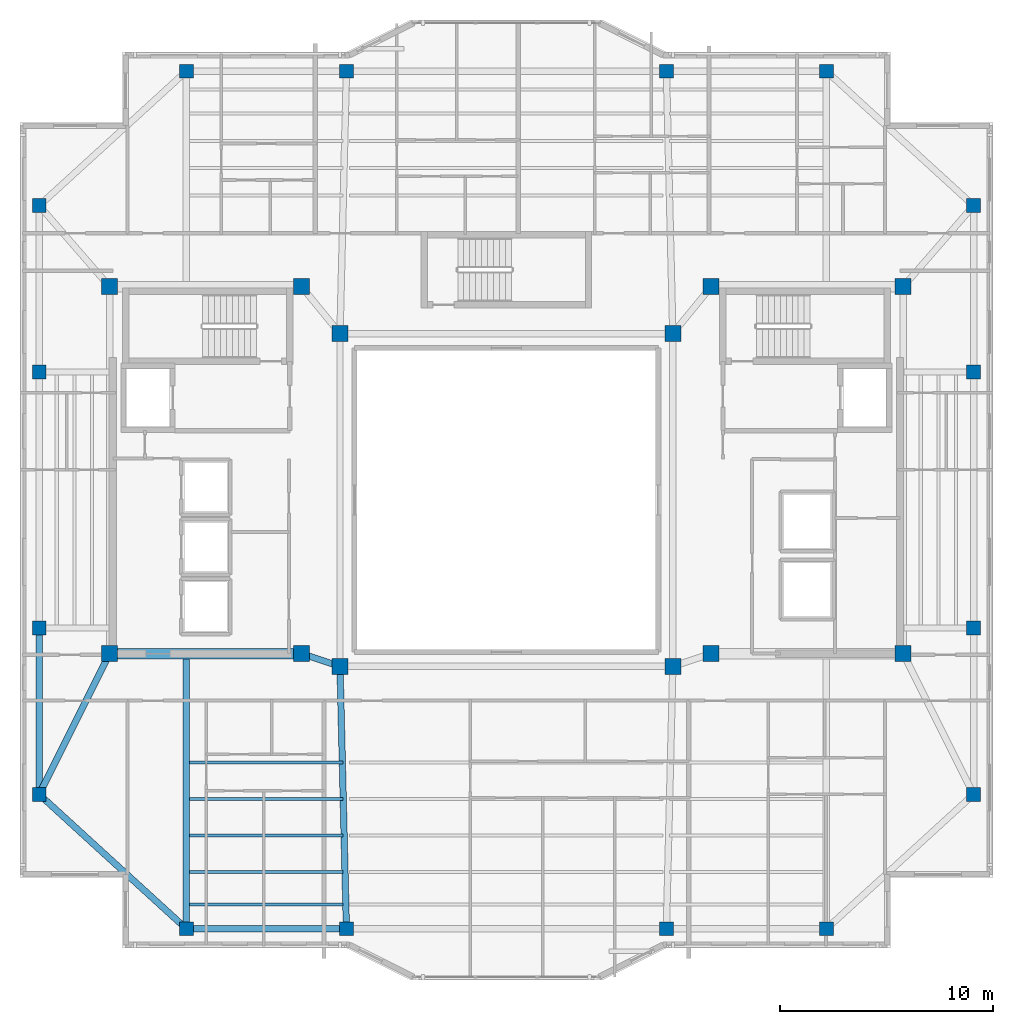
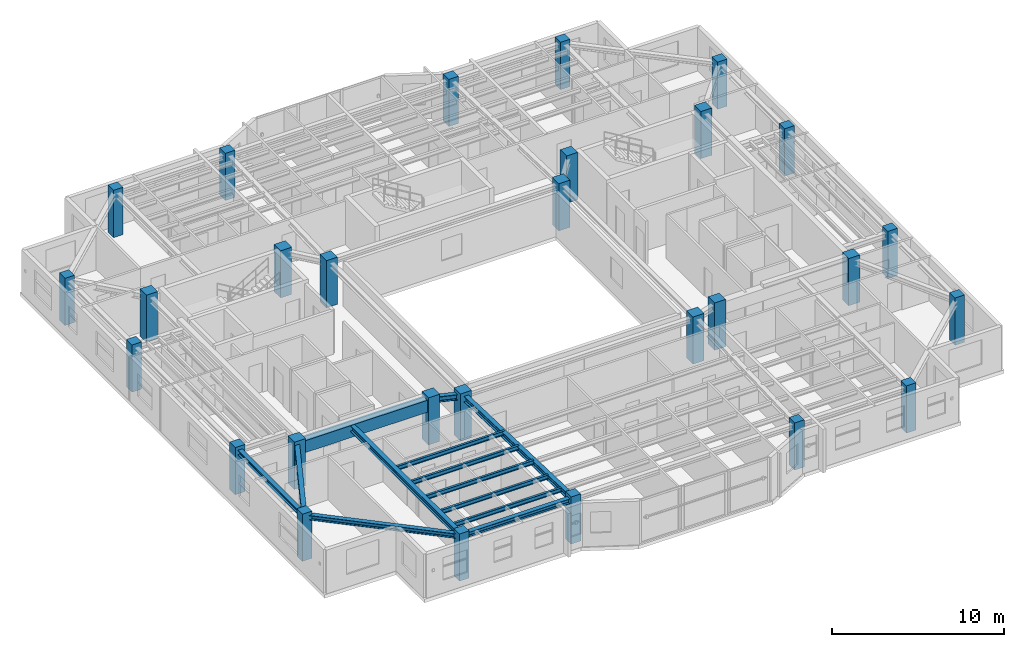
# One storey, part 1 of 15: 28 columns, 13 beams.
"""IFC4 building model written with IfcOpenShell, lengths in metres."""

from ifc_helpers import new_model, si_unit, direction, frame, origin, origin_2d, place, context, subcontext, project, spatial, rectangle, i_section, extrude, material, material_profile, profile_set, type_object, element, save


model = new_model("IFC4")

# Units and contexts
model_context = context("Model", 3, precision=1e-05, world=origin(), true_north=direction((0.0, 1.0)))
body_context = subcontext(model_context, "Body", "Model", "MODEL_VIEW")
ifc_project = project(units=[si_unit("LENGTHUNIT", "METRE"), si_unit("AREAUNIT", "SQUARE_METRE"), si_unit("VOLUMEUNIT", "CUBIC_METRE"), si_unit("PLANEANGLEUNIT", "RADIAN"), si_unit("MASSUNIT", "GRAM", prefix="KILO")], contexts=[model_context])

# Site, building, storey
site_placement = place(None, origin())
site = spatial("IfcSite", under=ifc_project, at=site_placement, CompositionType="ELEMENT")
building_placement = place(site_placement, origin())
building = spatial("IfcBuilding", under=site, at=building_placement, Name="Tarnavaz Court Tower", CompositionType="ELEMENT")
storey_placement = place(building_placement, frame((0.0, 0.0, 241.5)))
storey = spatial("IfcBuildingStorey", under=building, at=storey_placement, Name="L65", CompositionType="ELEMENT", Elevation=241.5)

# Columns
ifc_material_1 = material(Name="Concrete C50/60", Category="concrete")
ifc_material_profile_1 = material_profile(ifc_material_1, rectangle(XDim=0.64990234375, YDim=0.64990234375, at=origin_2d()), Name="RC 650X650")
ifc_profile_set_1 = profile_set([ifc_material_profile_1], Name="Concrete C50/60")
column_type_1 = type_object("IfcColumnType", Name="CL-RC650", PredefinedType="COLUMN", material=ifc_profile_set_1)
for number, where, z_axis, x_axis, name in (
    (1, (-15.0, 20.10009765625, 0.0), (0.0, 0.0, 1.0), (1.0, 0.0, 0.0), "L65 Column PN-1"),
    (2, (-7.5, 20.10009765625, 0.0), (0.0, 0.0, 1.0), (1.0, 0.0, 0.0), "L65 Column PN-2"),
    (3, (7.5, 20.10009765625, 0.0), (0.0, 0.0, 1.0), (1.0, 0.0, 0.0), "L65 Column PN-3"),
    (4, (15.0, 20.10009765625, 0.0), (0.0, 0.0, 1.0), (1.0, 0.0, 0.0), "L65 Column PN-4"),
    (5, (-15.0, -20.10009765625, 0.0), (0.0, 0.0, 1.0), (1.0, 0.0, 0.0), "L65 Column PS-1"),
    (6, (-7.5, -20.10009765625, 0.0), (0.0, 0.0, 1.0), (1.0, 0.0, 0.0), "L65 Column PS-2"),
    (7, (7.5, -20.10009765625, 0.0), (0.0, 0.0, 1.0), (1.0, 0.0, 0.0), "L65 Column PS-3"),
    (8, (15.0, -20.10009765625, 0.0), (0.0, 0.0, 1.0), (1.0, 0.0, 0.0), "L65 Column PS-4"),
    (9, (21.89990234375, -13.800048828125, 0.0), (0.0, 0.0, 1.0), (1.0, 0.0, 0.0), "L65 Column PE-1"),
    (10, (21.89990234375, -6.0, 0.0), (0.0, 0.0, 1.0), (1.0, 0.0, 0.0), "L65 Column PE-2"),
    (11, (21.89990234375, 6.0, 0.0), (0.0, 0.0, 1.0), (1.0, 0.0, 0.0), "L65 Column PE-3"),
    (12, (21.89990234375, 13.800048828125, 0.0), (0.0, 0.0, 1.0), (1.0, 0.0, 0.0), "L65 Column PE-4"),
    (13, (-21.89990234375, -13.800048828125, 0.0), (0.0, 0.0, 1.0), (1.0, 0.0, 0.0), "L65 Column PW-1"),
    (14, (-21.89990234375, -6.0, 0.0), (0.0, 0.0, 1.0), (1.0, 0.0, 0.0), "L65 Column PW-2"),
    (15, (-21.89990234375, 6.0, 0.0), (0.0, 0.0, 1.0), (1.0, 0.0, 0.0), "L65 Column PW-3"),
    (16, (-21.89990234375, 13.800048828125, 0.0), (0.0, 0.0, 1.0), (1.0, 0.0, 0.0), "L65 Column PW-4"),
):
    element("IfcColumn", number, at=place(storey_placement, frame(where, z_axis=z_axis, x_axis=x_axis)), inside=storey, type_object=column_type_1, Name=name, PredefinedType="COLUMN", context=body_context, shape_type="SweptSolid", body=[
        extrude(rectangle(XDim=0.64990234375, YDim=0.64990234375, at=origin_2d()), origin(), (0.0, 0.0, 1.0), 3.35009765625),
    ])
ifc_material_profile_2 = material_profile(ifc_material_1, rectangle(XDim=0.75, YDim=0.75, at=origin_2d()), Name="RC 750X750")
ifc_profile_set_2 = profile_set([ifc_material_profile_2], Name="Concrete C50/60")
column_type_2 = type_object("IfcColumnType", Name="CL-RC750", PredefinedType="COLUMN", material=ifc_profile_set_2)
for number, where, z_axis, x_axis, name in (
    (17, (-7.800048828125, -7.800048828125, 0.0), (0.0, 0.0, 1.0), (1.0, 0.0, 0.0), "L65 Column IW-SW"),
    (18, (7.800048828125, -7.800048828125, 0.0), (0.0, 0.0, 1.0), (1.0, 0.0, 0.0), "L65 Column IW-SE"),
    (19, (-7.800048828125, 7.800048828125, 0.0), (0.0, 0.0, 1.0), (1.0, 0.0, 0.0), "L65 Column IW-NW"),
    (20, (7.800048828125, 7.800048828125, 0.0), (0.0, 0.0, 1.0), (1.0, 0.0, 0.0), "L65 Column IW-NE"),
    (21, (-9.60009765625, -7.199951171875, 0.0), (0.0, 0.0, 1.0), (1.0, 0.0, 0.0), "L65 Column CW-SI"),
    (22, (-9.60009765625, 10.0, 0.0), (0.0, 0.0, 1.0), (1.0, 0.0, 0.0), "L65 Column CW-NI"),
    (23, (9.60009765625, -7.199951171875, 0.0), (0.0, 0.0, 1.0), (1.0, 0.0, 0.0), "L65 Column CE-SI"),
    (24, (9.60009765625, 10.0, 0.0), (0.0, 0.0, 1.0), (1.0, 0.0, 0.0), "L65 Column CE-NI"),
    (25, (-18.60009765625, -7.199951171875, 0.0), (0.0, 0.0, 1.0), (1.0, 0.0, 0.0), "L65 Column CW-SO"),
    (26, (-18.60009765625, 10.0, 0.0), (0.0, 0.0, 1.0), (1.0, 0.0, 0.0), "L65 Column CW-NO"),
    (27, (18.60009765625, -7.199951171875, 0.0), (0.0, 0.0, 1.0), (1.0, 0.0, 0.0), "L65 Column CE-SO"),
    (28, (18.60009765625, 10.0, 0.0), (0.0, 0.0, 1.0), (1.0, 0.0, 0.0), "L65 Column CE-NO"),
):
    element("IfcColumn", number, at=place(storey_placement, frame(where, z_axis=z_axis, x_axis=x_axis)), inside=storey, type_object=column_type_2, Name=name, PredefinedType="COLUMN", context=body_context, shape_type="SweptSolid", body=[
        extrude(rectangle(XDim=0.75, YDim=0.75, at=origin_2d()), origin(), (0.0, 0.0, 1.0), 3.35009765625),
    ])

# Beams
ifc_material_profile_3 = material_profile(ifc_material_1, rectangle(XDim=0.5, YDim=0.85009765625, at=origin_2d()), Name="RC 500X850")
ifc_profile_set_3 = profile_set([ifc_material_profile_3], Name="Concrete C50/60")
beam_type_1 = type_object("IfcBeamType", Name="BM-CB850", PredefinedType="LINTEL", material=ifc_profile_set_3)
beam_1_placement = place(storey_placement, frame((-18.3798828125, -7.199951171875, 2.675048828125), z_axis=(1.0, 0.0, 0.0), x_axis=(0.0, 1.0, 0.0)))
element("IfcBeam", 29, at=beam_1_placement, inside=storey, type_object=beam_type_1, Name="L65 Beam IN-CW-SO-CW-SI", PredefinedType="LINTEL", context=body_context, shape_type="SweptSolid", body=[
    extrude(rectangle(XDim=0.5, YDim=0.85009765625, at=origin_2d()), origin(), (0.0, 0.0, 1.0), 8.559814453125),
])
ifc_material_2 = material(Name="Steel S355", Category="steel")
ifc_material_profile_4 = material_profile(ifc_material_2, i_section(OverallWidth=0.300048828125, OverallDepth=0.39990234375, WebThickness=0.013427734375, FlangeThickness=0.02392578125, FilletRadius=0.027099609375, at=origin_2d()), Name="HEB 400")
ifc_profile_set_4 = profile_set([ifc_material_profile_4], Name="Steel S355")
beam_type_2 = type_object("IfcBeamType", Name="BM-G-HEB400", PredefinedType="USERDEFINED", material=ifc_profile_set_4)
beam_2_placement = place(storey_placement, frame((-9.391357421875, -7.26953125, 2.89990234375), z_axis=(0.948666544706, -0.316278021615, 0.0), x_axis=(0.316278021615, 0.948666544706, 0.0)))
element("IfcBeam", 30, at=beam_2_placement, inside=storey, type_object=beam_type_2, Name="L65 Beam IN-CW-SI-IW-SW", ObjectType="GIRDER", PredefinedType="USERDEFINED", context=body_context, shape_type="SweptSolid", body=[
    extrude(i_section(OverallWidth=0.300048828125, OverallDepth=0.39990234375, WebThickness=0.013427734375, FlangeThickness=0.02392578125, FilletRadius=0.027099609375, at=origin_2d()), origin(), (0.0, 0.0, 1.0), 1.457275390625),
])
beam_3_placement = place(storey_placement, frame((-15.0, -7.239990234375, 2.89990234375), z_axis=(0.0, -1.0, 0.0), x_axis=(1.0, 0.0, 0.0)))
element("IfcBeam", 31, at=beam_3_placement, inside=storey, type_object=beam_type_2, Name="L65 Beam RG-05", ObjectType="GIRDER", PredefinedType="USERDEFINED", context=body_context, shape_type="SweptSolid", body=[
    extrude(i_section(OverallWidth=0.300048828125, OverallDepth=0.39990234375, WebThickness=0.013427734375, FlangeThickness=0.02392578125, FilletRadius=0.027099609375, at=origin_2d()), origin(), (0.0, 0.0, 1.0), 12.639892578125),
])
beam_4_placement = place(storey_placement, frame((-7.794677734375, -8.02001953125, 2.89990234375), z_axis=(0.024386002211, -0.99970261723, 0.0), x_axis=(0.99970261723, 0.024386002211, 0.0)))
element("IfcBeam", 32, at=beam_4_placement, inside=storey, type_object=beam_type_2, Name="L65 Beam RG-06", ObjectType="GIRDER", PredefinedType="USERDEFINED", context=body_context, shape_type="SweptSolid", body=[
    extrude(i_section(OverallWidth=0.300048828125, OverallDepth=0.39990234375, WebThickness=0.013427734375, FlangeThickness=0.02392578125, FilletRadius=0.027099609375, at=origin_2d()), origin(), (0.0, 0.0, 1.0), 11.863525390625),
])
beam_5_placement = place(storey_placement, frame((-18.698486328125, -7.396728515625, 2.89990234375), z_axis=(-0.447185448279, -0.894441264057, 0.0), x_axis=(0.894441264057, -0.447185448279, 0.0)))
element("IfcBeam", 33, at=beam_5_placement, inside=storey, type_object=beam_type_2, Name="L65 Beam RG-15", ObjectType="GIRDER", PredefinedType="USERDEFINED", context=body_context, shape_type="SweptSolid", body=[
    extrude(i_section(OverallWidth=0.300048828125, OverallDepth=0.39990234375, WebThickness=0.013427734375, FlangeThickness=0.02392578125, FilletRadius=0.027099609375, at=origin_2d()), origin(), (0.0, 0.0, 1.0), 6.93896484375),
])
ifc_material_profile_5 = material_profile(ifc_material_2, i_section(OverallWidth=0.14990234375, OverallDepth=0.300048828125, WebThickness=0.007080078125, FlangeThickness=0.0107421875, FilletRadius=0.014892578125, at=origin_2d()), Name="IPE 300")
ifc_profile_set_5 = profile_set([ifc_material_profile_5], Name="Steel S355")
beam_type_3 = type_object("IfcBeamType", Name="BM-J-IPE300", PredefinedType="JOIST", material=ifc_profile_set_5)
for number, where, z_axis, x_axis, name in (
    (34, (-14.85009765625, -12.31005859375, 2.949951171875), (1.0, 0.0, 0.0), (0.0, 1.0, 0.0), "L65 Beam JS1-1"),
    (35, (-14.85009765625, -14.02001953125, 2.949951171875), (1.0, 0.0, 0.0), (0.0, 1.0, 0.0), "L65 Beam JS2-1"),
    (36, (-14.85009765625, -15.72998046875, 2.949951171875), (1.0, 0.0, 0.0), (0.0, 1.0, 0.0), "L65 Beam JS3-1"),
    (37, (-14.85009765625, -17.43994140625, 2.949951171875), (1.0, 0.0, 0.0), (0.0, 1.0, 0.0), "L65 Beam JS4-1"),
    (38, (-14.85009765625, -18.9599609375, 2.949951171875), (1.0, 0.0, 0.0), (0.0, 1.0, 0.0), "L65 Beam JS5-1"),
):
    element("IfcBeam", number, at=place(storey_placement, frame(where, z_axis=z_axis, x_axis=x_axis)), inside=storey, type_object=beam_type_3, Name=name, PredefinedType="JOIST", context=body_context, shape_type="SweptSolid", body=[
        extrude(i_section(OverallWidth=0.14990234375, OverallDepth=0.300048828125, WebThickness=0.007080078125, FlangeThickness=0.0107421875, FilletRadius=0.014892578125, at=origin_2d()), origin(), (0.0, 0.0, 1.0), 7.2001953125),
    ])
ifc_material_profile_6 = material_profile(ifc_material_2, i_section(OverallWidth=0.300048828125, OverallDepth=0.330078125, WebThickness=0.009521484375, FlangeThickness=0.0166015625, FilletRadius=0.027099609375, at=origin_2d()), Name="HEA 340")
ifc_profile_set_6 = profile_set([ifc_material_profile_6], Name="Steel S355")
beam_type_4 = type_object("IfcBeamType", Name="BM-SP-HEA340", PredefinedType="BEAM", material=ifc_profile_set_6)
beam_6_placement = place(storey_placement, frame((-14.780029296875, -20.10009765625, 2.93505859375), z_axis=(1.0, 0.0, 0.0), x_axis=(0.0, 1.0, 0.0)))
element("IfcBeam", 39, at=beam_6_placement, inside=storey, type_object=beam_type_4, Name="L65 Beam PR-PS-1-PS-2", PredefinedType="BEAM", context=body_context, shape_type="SweptSolid", body=[
    extrude(i_section(OverallWidth=0.300048828125, OverallDepth=0.330078125, WebThickness=0.009521484375, FlangeThickness=0.0166015625, FilletRadius=0.027099609375, at=origin_2d()), origin(), (0.0, 0.0, 1.0), 7.06005859375),
])
beam_7_placement = place(storey_placement, frame((-21.89990234375, -13.580078125, 2.93505859375), z_axis=(0.0, 1.0, 0.0), x_axis=(-1.0, 0.0, 0.0)))
element("IfcBeam", 40, at=beam_7_placement, inside=storey, type_object=beam_type_4, Name="L65 Beam PR-PW-1-PW-2", PredefinedType="BEAM", context=body_context, shape_type="SweptSolid", body=[
    extrude(i_section(OverallWidth=0.300048828125, OverallDepth=0.330078125, WebThickness=0.009521484375, FlangeThickness=0.0166015625, FilletRadius=0.027099609375, at=origin_2d()), origin(), (0.0, 0.0, 1.0), 7.360107421875),
])
beam_8_placement = place(storey_placement, frame((-15.16259765625, -19.95166015625, 2.93505859375), z_axis=(-0.738474214476, 0.674281717499, 0.0), x_axis=(-0.674281717499, -0.738474214476, 0.0)))
element("IfcBeam", 41, at=beam_8_placement, inside=storey, type_object=beam_type_4, Name="L65 Beam PR-PS-1-PW-1", PredefinedType="BEAM", context=body_context, shape_type="SweptSolid", body=[
    extrude(i_section(OverallWidth=0.300048828125, OverallDepth=0.330078125, WebThickness=0.009521484375, FlangeThickness=0.0166015625, FilletRadius=0.027099609375, at=origin_2d()), origin(), (0.0, 0.0, 1.0), 8.9033203125),
])

save(model, "model.ifc")
